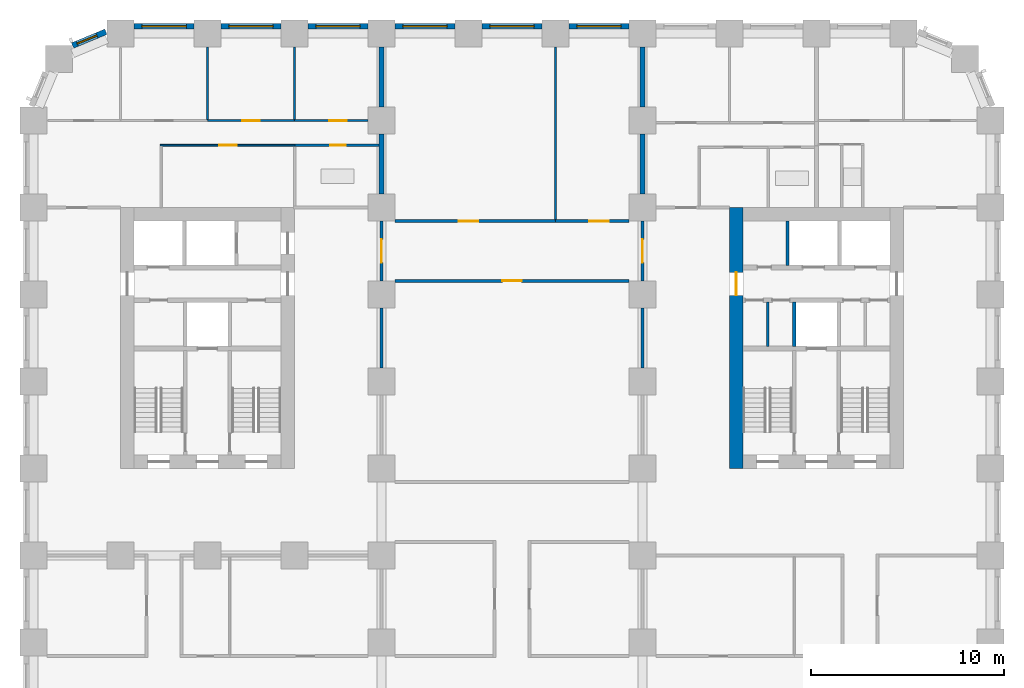
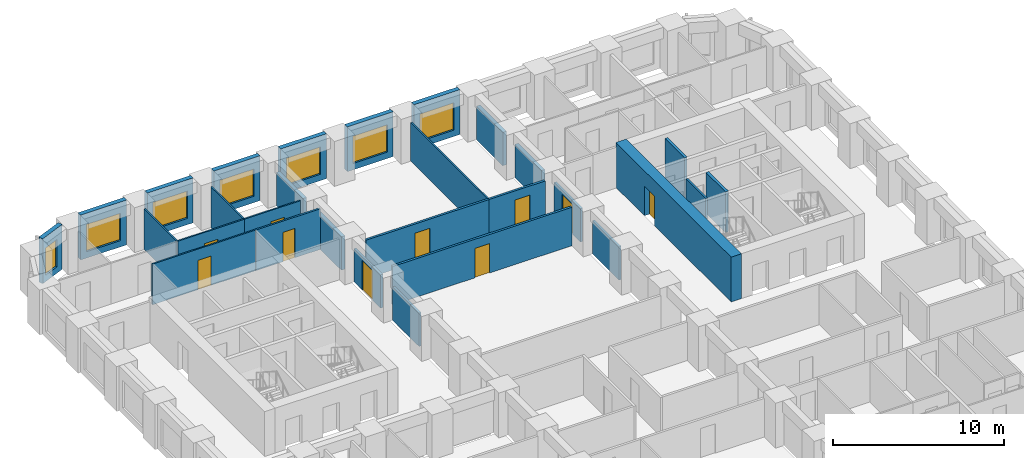
# One storey, part 7 of 12: 29 walls, 10 doors, 7 windows, 17 openings.
"""IFC4 building model written with IfcOpenShell, lengths in metres."""

from ifc_helpers import new_model, si_unit, direction, frame, frame_2d, origin, place, context, subcontext, project, spatial, rectangle, extrude, material, layer, layer_set, type_object, element, fill, save


model = new_model("IFC4")

# Units and contexts
model_context = context("Model", 3, precision=1e-05, world=origin(), true_north=direction((0.0, 1.0)))
body_context = subcontext(model_context, "Body", "Model", "MODEL_VIEW")
ifc_project = project(units=[si_unit("LENGTHUNIT", "METRE"), si_unit("AREAUNIT", "SQUARE_METRE"), si_unit("VOLUMEUNIT", "CUBIC_METRE"), si_unit("PLANEANGLEUNIT", "RADIAN"), si_unit("MASSUNIT", "GRAM", prefix="KILO")], contexts=[model_context])

# Site, building, storey
site_placement = place(None, origin())
site = spatial("IfcSite", under=ifc_project, at=site_placement, CompositionType="ELEMENT")
building_placement = place(site_placement, origin())
building = spatial("IfcBuilding", under=site, at=building_placement, Name="Girih Gate Residences", CompositionType="ELEMENT")
storey_placement = place(building_placement, frame((0.0, 0.0, 62.39990234375)))
storey = spatial("IfcBuildingStorey", under=building, at=storey_placement, Name="L16", CompositionType="ELEMENT", Elevation=62.39990234375)

# Walls
ifc_material_1 = material(Name="Gypsum board on steel studs", Category="steel")
ifc_layer_1 = layer(ifc_material_1, 0.25)
ifc_layer_set_1 = layer_set([ifc_layer_1], Name="Acoustic separating wall 250 mm")
wall_type_1 = type_object("IfcWallType", Name="Acoustic separating wall 250 mm", PredefinedType="PARTITIONING", material=ifc_layer_set_1)
for number, where, z_axis, x_axis, name in (
    (1, (18.0, 41.199951171875, 0.0), (0.0, 0.0, 1.0), (0.0, 1.0, 0.0), "L16 partition"),
    (2, (18.0, 45.699951171875, 0.0), (0.0, 0.0, 1.0), (0.0, 1.0, 0.0), "L16 partition"),
    (3, (31.5, 41.199951171875, 0.0), (0.0, 0.0, 1.0), (0.0, 1.0, 0.0), "L16 partition"),
    (4, (31.5, 45.699951171875, 0.0), (0.0, 0.0, 1.0), (0.0, 1.0, 0.0), "L16 partition"),
):
    element("IfcWall", number, at=place(storey_placement, frame(where, z_axis=z_axis, x_axis=x_axis)), inside=storey, type_object=wall_type_1, Name=name, PredefinedType="PARTITIONING", context=body_context, shape_type="SweptSolid", body=[
        extrude(rectangle(XDim=3.10009765625, YDim=0.25, at=frame_2d((1.550048828125, 0.0))), origin(), (0.0, 0.0, 1.0), 2.380126953125),
    ])

# Wall, opening, door
ifc_layer_2 = layer(ifc_material_1, 0.14990234375)
ifc_layer_set_2 = layer_set([ifc_layer_2], Name="Compartment wall 150 mm")
wall_type_2 = type_object("IfcWallType", Name="Compartment wall 150 mm", PredefinedType="PARTITIONING", material=ifc_layer_set_2)
wall_1_placement = place(storey_placement, frame((18.699951171875, 39.800048828125, 0.0), z_axis=(0.0, 0.0, 1.0), x_axis=(1.0, 0.0, 0.0)))
wall_1 = element("IfcWall", 5, at=wall_1_placement, inside=storey, type_object=wall_type_2, Name="L16 partition", PredefinedType="PARTITIONING", context=body_context, shape_type="SweptSolid", body=[
    extrude(rectangle(XDim=8.300048828125, YDim=0.14990234375, at=frame_2d((4.14990234375, 0.0))), origin(), (0.0, 0.0, 1.0), 2.75),
])
opening_1_placement = place(wall_1_placement, frame((3.300048828125, 0.0, 0.0)))
opening_1 = element("IfcOpeningElement", 6, at=opening_1_placement, cuts=wall_1, Name="Opening A16-038", PredefinedType="OPENING", context=body_context, shape_type="SweptSolid", body=[
    extrude(rectangle(XDim=1.0, YDim=2.10009765625, at=frame_2d((0.5, 1.050048828125))), frame((0.0, 0.0849609375, 0.0), z_axis=(0.0, -1.0, 0.0), x_axis=(1.0, 0.0, 0.0)), (0.0, 0.0, 1.0), 0.169921875),
])
ifc_material_2 = material(Name="Timber, fire-rated core", Category="wood")
door_type_1 = type_object("IfcDoorType", Name="Amenity room door 1000x2100 FD30S", OperationType="NOTDEFINED", PredefinedType="DOOR", material=ifc_material_2)
door_1_placement = place(opening_1_placement, origin())
door_1 = element("IfcDoor", 7, at=door_1_placement, inside=storey, type_object=door_type_1, Name="Door A16-038", OperationType="SINGLE_SWING_LEFT", OverallHeight=2.10009765625, OverallWidth=1.0, PredefinedType="DOOR", context=body_context, shape_type="SweptSolid", body=[
    extrude(rectangle(XDim=1.0, YDim=2.10009765625, at=frame_2d((0.5, 1.050048828125))), frame((0.0, 0.02490234375, 0.0), z_axis=(0.0, -1.0, 0.0), x_axis=(1.0, 0.0, 0.0)), (0.0, 0.0, 1.0), 0.050048828125),
])
fill(opening_1, door_1)

wall_2_placement = place(storey_placement, frame((27.0, 39.800048828125, 0.0), z_axis=(0.0, 0.0, 1.0), x_axis=(1.0, 0.0, 0.0)))
wall_2 = element("IfcWall", 8, at=wall_2_placement, inside=storey, type_object=wall_type_2, Name="L16 partition", PredefinedType="PARTITIONING", context=body_context, shape_type="SweptSolid", body=[
    extrude(rectangle(XDim=3.800048828125, YDim=0.14990234375, at=frame_2d((1.89990234375, 0.0))), origin(), (0.0, 0.0, 1.0), 2.75),
])
opening_2_placement = place(wall_2_placement, frame((1.75, 0.0, 0.0)))
opening_2 = element("IfcOpeningElement", 9, at=opening_2_placement, cuts=wall_2, Name="Opening A16-039", PredefinedType="OPENING", context=body_context, shape_type="SweptSolid", body=[
    extrude(rectangle(XDim=1.0, YDim=2.10009765625, at=frame_2d((0.5, 1.050048828125))), frame((0.0, 0.0849609375, 0.0), z_axis=(0.0, -1.0, 0.0), x_axis=(1.0, 0.0, 0.0)), (0.0, 0.0, 1.0), 0.169921875),
])
door_2_placement = place(opening_2_placement, origin())
door_2 = element("IfcDoor", 10, at=door_2_placement, inside=storey, type_object=door_type_1, Name="Door A16-039", OperationType="SINGLE_SWING_RIGHT", OverallHeight=2.10009765625, OverallWidth=1.0, PredefinedType="DOOR", context=body_context, shape_type="SweptSolid", body=[
    extrude(rectangle(XDim=1.0, YDim=2.10009765625, at=frame_2d((0.5, 1.050048828125))), frame((0.0, 0.02490234375, 0.0), z_axis=(0.0, -1.0, 0.0), x_axis=(1.0, 0.0, 0.0)), (0.0, 0.0, 1.0), 0.050048828125),
])
fill(opening_2, door_2)

wall_3_placement = place(storey_placement, frame((30.800048828125, 36.699951171875, 0.0), z_axis=(0.0, 0.0, 1.0), x_axis=(-1.0, 0.0, 0.0)))
wall_3 = element("IfcWall", 11, at=wall_3_placement, inside=storey, type_object=wall_type_2, Name="L16 partition", PredefinedType="PARTITIONING", context=body_context, shape_type="SweptSolid", body=[
    extrude(rectangle(XDim=12.10009765625, YDim=0.14990234375, at=frame_2d((6.050048828125, 0.0))), origin(), (0.0, 0.0, 1.0), 2.75),
])
opening_3_placement = place(wall_3_placement, frame((5.550048828125, 0.0, 0.0)))
opening_3 = element("IfcOpeningElement", 12, at=opening_3_placement, cuts=wall_3, Name="Opening A16-040", PredefinedType="OPENING", context=body_context, shape_type="SweptSolid", body=[
    extrude(rectangle(XDim=1.0, YDim=2.10009765625, at=frame_2d((0.5, 1.050048828125))), frame((0.0, 0.0849609375, 0.0), z_axis=(0.0, -1.0, 0.0), x_axis=(1.0, 0.0, 0.0)), (0.0, 0.0, 1.0), 0.169921875),
])
door_3_placement = place(opening_3_placement, origin())
door_3 = element("IfcDoor", 13, at=door_3_placement, inside=storey, type_object=door_type_1, Name="Door A16-040", OperationType="SINGLE_SWING_RIGHT", OverallHeight=2.10009765625, OverallWidth=1.0, PredefinedType="DOOR", context=body_context, shape_type="SweptSolid", body=[
    extrude(rectangle(XDim=1.0, YDim=2.10009765625, at=frame_2d((0.5, 1.050048828125))), frame((0.0, 0.02490234375, 0.0), z_axis=(0.0, -1.0, 0.0), x_axis=(1.0, 0.0, 0.0)), (0.0, 0.0, 1.0), 0.050048828125),
])
fill(opening_3, door_3)

wall_4_placement = place(storey_placement, frame((31.5, 36.699951171875, 0.0), z_axis=(0.0, 0.0, 1.0), x_axis=(0.0, 1.0, 0.0)))
wall_4 = element("IfcWall", 14, at=wall_4_placement, inside=storey, type_object=wall_type_2, Name="L16 partition", PredefinedType="PARTITIONING", context=body_context, shape_type="SweptSolid", body=[
    extrude(rectangle(XDim=3.10009765625, YDim=0.14990234375, at=frame_2d((1.550048828125, 0.0))), origin(), (0.0, 0.0, 1.0), 2.380126953125),
])
opening_4_placement = place(wall_4_placement, frame((0.949951171875, 0.0, 0.0)))
opening_4 = element("IfcOpeningElement", 15, at=opening_4_placement, cuts=wall_4, Name="Opening A16-041", PredefinedType="OPENING", context=body_context, shape_type="SweptSolid", body=[
    extrude(rectangle(XDim=1.199951171875, YDim=2.10009765625, at=frame_2d((0.60009765625, 1.050048828125))), frame((0.0, 0.0849609375, 0.0), z_axis=(0.0, -1.0, 0.0), x_axis=(1.0, 0.0, 0.0)), (0.0, 0.0, 1.0), 0.169921875),
])
door_type_2 = type_object("IfcDoorType", Name="Corridor fire door 1200x2100 FD30S", OperationType="NOTDEFINED", PredefinedType="DOOR", material=ifc_material_2)
door_4_placement = place(opening_4_placement, origin())
door_4 = element("IfcDoor", 16, at=door_4_placement, inside=storey, type_object=door_type_2, Name="Door A16-041", OperationType="SINGLE_SWING_LEFT", OverallHeight=2.10009765625, OverallWidth=1.199951171875, PredefinedType="DOOR", context=body_context, shape_type="SweptSolid", body=[
    extrude(rectangle(XDim=1.199951171875, YDim=2.10009765625, at=frame_2d((0.60009765625, 1.050048828125))), frame((0.0, 0.02490234375, 0.0), z_axis=(0.0, -1.0, 0.0), x_axis=(1.0, 0.0, 0.0)), (0.0, 0.0, 1.0), 0.050048828125),
])
fill(opening_4, door_4)

wall_5_placement = place(storey_placement, frame((18.0, 39.800048828125, 0.0), z_axis=(0.0, 0.0, 1.0), x_axis=(0.0, -1.0, 0.0)))
wall_5 = element("IfcWall", 17, at=wall_5_placement, inside=storey, type_object=wall_type_2, Name="L16 partition", PredefinedType="PARTITIONING", context=body_context, shape_type="SweptSolid", body=[
    extrude(rectangle(XDim=3.10009765625, YDim=0.14990234375, at=frame_2d((1.550048828125, 0.0))), origin(), (0.0, 0.0, 1.0), 2.380126953125),
])
opening_5_placement = place(wall_5_placement, frame((0.949951171875, 0.0, 0.0)))
opening_5 = element("IfcOpeningElement", 18, at=opening_5_placement, cuts=wall_5, Name="Opening A16-042", PredefinedType="OPENING", context=body_context, shape_type="SweptSolid", body=[
    extrude(rectangle(XDim=1.199951171875, YDim=2.10009765625, at=frame_2d((0.60009765625, 1.050048828125))), frame((0.0, 0.0849609375, 0.0), z_axis=(0.0, -1.0, 0.0), x_axis=(1.0, 0.0, 0.0)), (0.0, 0.0, 1.0), 0.169921875),
])
door_5_placement = place(opening_5_placement, origin())
door_5 = element("IfcDoor", 19, at=door_5_placement, inside=storey, type_object=door_type_2, Name="Door A16-042", OperationType="SINGLE_SWING_LEFT", OverallHeight=2.10009765625, OverallWidth=1.199951171875, PredefinedType="DOOR", context=body_context, shape_type="SweptSolid", body=[
    extrude(rectangle(XDim=1.199951171875, YDim=2.10009765625, at=frame_2d((0.60009765625, 1.050048828125))), frame((0.0, 0.02490234375, 0.0), z_axis=(0.0, -1.0, 0.0), x_axis=(1.0, 0.0, 0.0)), (0.0, 0.0, 1.0), 0.050048828125),
])
fill(opening_5, door_5)

# Walls
for number, where, z_axis, x_axis, name in (
    (20, (31.5, 32.199951171875, 0.0), (0.0, 0.0, 1.0), (0.0, 1.0, 0.0), "L16 partition"),
    (21, (18.0, 32.199951171875, 0.0), (0.0, 0.0, 1.0), (0.0, 1.0, 0.0), "L16 partition"),
):
    element("IfcWall", number, at=place(storey_placement, frame(where, z_axis=z_axis, x_axis=x_axis)), inside=storey, type_object=wall_type_2, Name=name, PredefinedType="PARTITIONING", context=body_context, shape_type="SweptSolid", body=[
        extrude(rectangle(XDim=3.10009765625, YDim=0.14990234375, at=frame_2d((1.550048828125, 0.0))), origin(), (0.0, 0.0, 1.0), 2.380126953125),
    ])

# Wall, opening, door
ifc_material_3 = material(Name="Concrete C60/75", Category="concrete")
ifc_layer_3 = layer(ifc_material_3, 0.699951171875)
ifc_layer_set_3 = layer_set([ifc_layer_3], Name="Core wall RC 700 Concrete C60/75")
wall_type_3 = type_object("IfcWallType", Name="Core wall RC 700 Concrete C60/75", PredefinedType="SOLIDWALL", material=ifc_layer_set_3)
wall_6_placement = place(storey_placement, frame((36.35009765625, 27.0, 0.0), z_axis=(0.0, 0.0, 1.0), x_axis=(0.0, 1.0, 0.0)))
wall_6 = element("IfcWall", 22, at=wall_6_placement, inside=storey, type_object=wall_type_3, Name="Core wall E-W L16", PredefinedType="SOLIDWALL", context=body_context, shape_type="SweptSolid", body=[
    extrude(rectangle(XDim=13.5, YDim=0.699951171875, at=frame_2d((6.75, 0.0))), origin(), (0.0, 0.0, 1.0), 3.2001953125),
])
opening_6_placement = place(wall_6_placement, frame((8.949951171875, 0.0, 0.0)))
opening_6 = element("IfcOpeningElement", 23, at=opening_6_placement, cuts=wall_6, Name="Opening D-L16-E-014", PredefinedType="OPENING", context=body_context, shape_type="SweptSolid", body=[
    extrude(rectangle(XDim=1.199951171875, YDim=2.10009765625, at=frame_2d((0.60009765625, 1.050048828125))), frame((0.0, 0.35986328125, 0.0), z_axis=(0.0, -1.0, 0.0), x_axis=(1.0, 0.0, 0.0)), (0.0, 0.0, 1.0), 0.719970703125),
])
ifc_material_4 = material(Name="Painted steel, fire-resisting", Category="steel")
door_type_3 = type_object("IfcDoorType", Name="Fire door 1200x2100", OperationType="SINGLE_SWING_LEFT", PredefinedType="DOOR", material=ifc_material_4)
door_6_placement = place(opening_6_placement, origin())
door_6 = element("IfcDoor", 24, at=door_6_placement, inside=storey, type_object=door_type_3, Name="L16 E core door ll-w", OperationType="SINGLE_SWING_LEFT", OverallHeight=2.10009765625, OverallWidth=1.199951171875, PredefinedType="DOOR", context=body_context, shape_type="SweptSolid", body=[
    extrude(rectangle(XDim=1.199951171875, YDim=2.10009765625, at=frame_2d((0.60009765625, 1.050048828125))), frame((0.0, 0.02490234375, 0.0), z_axis=(0.0, -1.0, 0.0), x_axis=(1.0, 0.0, 0.0)), (0.0, 0.0, 1.0), 0.050048828125),
])
fill(opening_6, door_6)

# Walls
ifc_layer_4 = layer(ifc_material_1, 0.10009765625)
ifc_layer_set_4 = layer_set([ifc_layer_4], Name="Partition 100 mm")
wall_type_4 = type_object("IfcWallType", Name="Partition 100 mm", PredefinedType="PARTITIONING", material=ifc_layer_set_4)
for number, where, z_axis, x_axis, name in (
    (25, (9.0, 45.050048828125, 0.0), (0.0, 0.0, 1.0), (0.0, 1.0, 0.0), "L16 partition"),
    (26, (13.5, 45.050048828125, 0.0), (0.0, 0.0, 1.0), (0.0, 1.0, 0.0), "L16 partition"),
):
    element("IfcWall", number, at=place(storey_placement, frame(where, z_axis=z_axis, x_axis=x_axis)), inside=storey, type_object=wall_type_4, Name=name, PredefinedType="PARTITIONING", context=body_context, shape_type="SweptSolid", body=[
        extrude(rectangle(XDim=3.75, YDim=0.10009765625, at=frame_2d((1.875, 0.0))), origin(), (0.0, 0.0, 1.0), 2.900146484375),
    ])

# Wall, opening, door
wall_7_placement = place(storey_placement, frame((9.0, 45.0, 0.0), z_axis=(0.0, 0.0, 1.0), x_axis=(1.0, 0.0, 0.0)))
wall_7 = element("IfcWall", 27, at=wall_7_placement, inside=storey, type_object=wall_type_4, Name="L16 partition", PredefinedType="PARTITIONING", context=body_context, shape_type="SweptSolid", body=[
    extrude(rectangle(XDim=4.5, YDim=0.10009765625, at=frame_2d((2.25, 0.0))), origin(), (0.0, 0.0, 1.0), 2.900146484375),
])
opening_7_placement = place(wall_7_placement, frame((1.800048828125, 0.0, 0.0)))
opening_7 = element("IfcOpeningElement", 28, at=opening_7_placement, cuts=wall_7, Name="Opening A16-013", PredefinedType="OPENING", context=body_context, shape_type="SweptSolid", body=[
    extrude(rectangle(XDim=0.89990234375, YDim=2.10009765625, at=frame_2d((0.449951171875, 1.050048828125))), frame((0.0, 0.06005859375, 0.0), z_axis=(0.0, -1.0, 0.0), x_axis=(1.0, 0.0, 0.0)), (0.0, 0.0, 1.0), 0.1201171875),
])
ifc_material_5 = material(Name="Timber", Category="wood")
door_type_4 = type_object("IfcDoorType", Name="Bedroom door 900x2100", OperationType="NOTDEFINED", PredefinedType="DOOR", material=ifc_material_5)
door_7_placement = place(opening_7_placement, origin())
door_7 = element("IfcDoor", 29, at=door_7_placement, inside=storey, type_object=door_type_4, Name="Door A16-013", OperationType="SINGLE_SWING_LEFT", OverallHeight=2.10009765625, OverallWidth=0.89990234375, PredefinedType="DOOR", context=body_context, shape_type="SweptSolid", body=[
    extrude(rectangle(XDim=0.89990234375, YDim=2.10009765625, at=frame_2d((0.449951171875, 1.050048828125))), frame((0.0, 0.02490234375, 0.0), z_axis=(0.0, -1.0, 0.0), x_axis=(1.0, 0.0, 0.0)), (0.0, 0.0, 1.0), 0.050048828125),
])
fill(opening_7, door_7)

wall_8_placement = place(storey_placement, frame((13.5, 45.0, 0.0), z_axis=(0.0, 0.0, 1.0), x_axis=(1.0, 0.0, 0.0)))
wall_8 = element("IfcWall", 30, at=wall_8_placement, inside=storey, type_object=wall_type_4, Name="L16 partition", PredefinedType="PARTITIONING", context=body_context, shape_type="SweptSolid", body=[
    extrude(rectangle(XDim=3.800048828125, YDim=0.10009765625, at=frame_2d((1.89990234375, 0.0))), origin(), (0.0, 0.0, 1.0), 2.900146484375),
])
opening_8_placement = place(wall_8_placement, frame((1.800048828125, 0.0, 0.0)))
opening_8 = element("IfcOpeningElement", 31, at=opening_8_placement, cuts=wall_8, Name="Opening A16-014", PredefinedType="OPENING", context=body_context, shape_type="SweptSolid", body=[
    extrude(rectangle(XDim=0.89990234375, YDim=2.10009765625, at=frame_2d((0.449951171875, 1.050048828125))), frame((0.0, 0.06005859375, 0.0), z_axis=(0.0, -1.0, 0.0), x_axis=(1.0, 0.0, 0.0)), (0.0, 0.0, 1.0), 0.1201171875),
])
door_8_placement = place(opening_8_placement, origin())
door_8 = element("IfcDoor", 32, at=door_8_placement, inside=storey, type_object=door_type_4, Name="Door A16-014", OperationType="SINGLE_SWING_RIGHT", OverallHeight=2.10009765625, OverallWidth=0.89990234375, PredefinedType="DOOR", context=body_context, shape_type="SweptSolid", body=[
    extrude(rectangle(XDim=0.89990234375, YDim=2.10009765625, at=frame_2d((0.449951171875, 1.050048828125))), frame((0.0, 0.02490234375, 0.0), z_axis=(0.0, -1.0, 0.0), x_axis=(1.0, 0.0, 0.0)), (0.0, 0.0, 1.0), 0.050048828125),
])
fill(opening_8, door_8)

wall_9_placement = place(storey_placement, frame((13.51806640625, 43.719970703125, 0.0), z_axis=(0.0, 0.0, 1.0), x_axis=(-1.0, 0.0, 0.0)))
wall_9 = element("IfcWall", 33, at=wall_9_placement, inside=storey, type_object=wall_type_4, Name="L16 partition", PredefinedType="PARTITIONING", context=body_context, shape_type="SweptSolid", body=[
    extrude(rectangle(XDim=6.968017578125, YDim=0.10009765625, at=frame_2d((3.48388671875, 0.0))), origin(), (0.0, 0.0, 1.0), 2.900146484375),
])
opening_9_placement = place(wall_9_placement, frame((3.009033203125, 0.0, 0.0)))
opening_9 = element("IfcOpeningElement", 34, at=opening_9_placement, cuts=wall_9, Name="Opening A16-015", PredefinedType="OPENING", context=body_context, shape_type="SweptSolid", body=[
    extrude(rectangle(XDim=0.89990234375, YDim=2.10009765625, at=frame_2d((0.449951171875, 1.050048828125))), frame((0.0, 0.06005859375, 0.0), z_axis=(0.0, -1.0, 0.0), x_axis=(1.0, 0.0, 0.0)), (0.0, 0.0, 1.0), 0.1201171875),
])
door_type_5 = type_object("IfcDoorType", Name="Kitchen door 900x2100", OperationType="NOTDEFINED", PredefinedType="DOOR", material=ifc_material_5)
door_9_placement = place(opening_9_placement, origin())
door_9 = element("IfcDoor", 35, at=door_9_placement, inside=storey, type_object=door_type_5, Name="Door A16-015", OperationType="SINGLE_SWING_LEFT", OverallHeight=2.10009765625, OverallWidth=0.89990234375, PredefinedType="DOOR", context=body_context, shape_type="SweptSolid", body=[
    extrude(rectangle(XDim=0.89990234375, YDim=2.10009765625, at=frame_2d((0.449951171875, 1.050048828125))), frame((0.0, 0.02490234375, 0.0), z_axis=(0.0, -1.0, 0.0), x_axis=(1.0, 0.0, 0.0)), (0.0, 0.0, 1.0), 0.050048828125),
])
fill(opening_9, door_9)

# Wall
wall_10_placement = place(storey_placement, frame((27.0, 39.875, 0.0), z_axis=(0.0, 0.0, 1.0), x_axis=(0.0, 1.0, 0.0)))
element("IfcWall", 36, at=wall_10_placement, inside=storey, type_object=wall_type_4, Name="L16 partition", PredefinedType="PARTITIONING", context=body_context, shape_type="SweptSolid", body=[
    extrude(rectangle(XDim=8.925048828125, YDim=0.10009765625, at=frame_2d((4.46240234375, 0.0))), origin(), (0.0, 0.0, 1.0), 2.75),
])

# Wall, opening, window
ifc_material_6 = material(Name="Precast concrete C50/60", Category="concrete")
ifc_layer_5 = layer(ifc_material_6, 0.080078125, Name="Outer leaf")
ifc_material_7 = material(Name="Rigid PIR insulation")
ifc_layer_6 = layer(ifc_material_7, 0.14990234375, Name="Insulation")
ifc_material_8 = material(Name="Precast concrete C40/50", Category="concrete")
ifc_layer_7 = layer(ifc_material_8, 0.070068359375, Name="Inner leaf")
ifc_layer_set_5 = layer_set([ifc_layer_5, ifc_layer_6, ifc_layer_7], Name="Precast concrete C50/60 external wall 300")
wall_type_5 = type_object("IfcWallType", Name="Precast concrete C50/60 external wall 300", PredefinedType="SOLIDWALL", material=ifc_layer_set_5)
wall_11_placement = place(storey_placement, frame((27.699951171875, 49.875, 0.0), z_axis=(0.0, 0.0, 1.0), x_axis=(1.0, 0.0, 0.0)))
wall_11 = element("IfcWall", 37, at=wall_11_placement, inside=storey, type_object=wall_type_5, Name="External wall N0450_0495.3", PredefinedType="SOLIDWALL", context=body_context, shape_type="SweptSolid", body=[
    extrude(rectangle(XDim=3.10009765625, YDim=0.300048828125, at=frame_2d((1.550048828125, 0.0))), origin(), (0.0, 0.0, 1.0), 3.2001953125),
])
opening_10_placement = place(wall_11_placement, frame((0.39990234375, 0.0, 0.449951171875)))
opening_10 = element("IfcOpeningElement", 38, at=opening_10_placement, cuts=wall_11, Name="Opening W-1", PredefinedType="OPENING", context=body_context, shape_type="SweptSolid", body=[
    extrude(rectangle(XDim=2.300048828125, YDim=1.949951171875, at=frame_2d((1.14990234375, 0.97509765625))), frame((0.0, 0.159912109375, 0.0), z_axis=(0.0, -1.0, 0.0), x_axis=(1.0, 0.0, 0.0)), (0.0, 0.0, 1.0), 0.320068359375),
])
ifc_material_9 = material(Name="Double glazing in aluminium frame", Category="aluminium")
window_type_1 = type_object("IfcWindowType", Name="Window W-1 2300x1950", PartitioningType="SINGLE_PANEL", PredefinedType="WINDOW", material=ifc_material_9)
window_1_placement = place(opening_10_placement, origin())
window_1 = element("IfcWindow", 39, at=window_1_placement, inside=storey, type_object=window_type_1, Name="Window W-1 N0450_0495.3", OverallHeight=1.949951171875, OverallWidth=2.300048828125, PartitioningType="SINGLE_PANEL", PredefinedType="WINDOW", context=body_context, shape_type="SweptSolid", body=[
    extrude(rectangle(XDim=2.300048828125, YDim=1.949951171875, at=frame_2d((1.14990234375, 0.97509765625))), frame((0.0, 0.030029296875, 0.0), z_axis=(0.0, -1.0, 0.0), x_axis=(1.0, 0.0, 0.0)), (0.0, 0.0, 1.0), 0.06005859375),
])
fill(opening_10, window_1)

wall_12_placement = place(storey_placement, frame((23.199951171875, 49.875, 0.0), z_axis=(0.0, 0.0, 1.0), x_axis=(1.0, 0.0, 0.0)))
wall_12 = element("IfcWall", 40, at=wall_12_placement, inside=storey, type_object=wall_type_5, Name="External wall N0450_0495.4", PredefinedType="SOLIDWALL", context=body_context, shape_type="SweptSolid", body=[
    extrude(rectangle(XDim=3.10009765625, YDim=0.300048828125, at=frame_2d((1.550048828125, 0.0))), origin(), (0.0, 0.0, 1.0), 3.2001953125),
])
opening_11_placement = place(wall_12_placement, frame((0.39990234375, 0.0, 0.449951171875)))
opening_11 = element("IfcOpeningElement", 41, at=opening_11_placement, cuts=wall_12, Name="Opening W-1", PredefinedType="OPENING", context=body_context, shape_type="SweptSolid", body=[
    extrude(rectangle(XDim=2.300048828125, YDim=1.949951171875, at=frame_2d((1.14990234375, 0.97509765625))), frame((0.0, 0.159912109375, 0.0), z_axis=(0.0, -1.0, 0.0), x_axis=(1.0, 0.0, 0.0)), (0.0, 0.0, 1.0), 0.320068359375),
])
window_2_placement = place(opening_11_placement, origin())
window_2 = element("IfcWindow", 42, at=window_2_placement, inside=storey, type_object=window_type_1, Name="Window W-1 N0450_0495.4", OverallHeight=1.949951171875, OverallWidth=2.300048828125, PartitioningType="SINGLE_PANEL", PredefinedType="WINDOW", context=body_context, shape_type="SweptSolid", body=[
    extrude(rectangle(XDim=2.300048828125, YDim=1.949951171875, at=frame_2d((1.14990234375, 0.97509765625))), frame((0.0, 0.030029296875, 0.0), z_axis=(0.0, -1.0, 0.0), x_axis=(1.0, 0.0, 0.0)), (0.0, 0.0, 1.0), 0.06005859375),
])
fill(opening_11, window_2)

wall_13_placement = place(storey_placement, frame((18.699951171875, 49.875, 0.0), z_axis=(0.0, 0.0, 1.0), x_axis=(1.0, 0.0, 0.0)))
wall_13 = element("IfcWall", 43, at=wall_13_placement, inside=storey, type_object=wall_type_5, Name="External wall N0450_0495.5", PredefinedType="SOLIDWALL", context=body_context, shape_type="SweptSolid", body=[
    extrude(rectangle(XDim=3.10009765625, YDim=0.300048828125, at=frame_2d((1.550048828125, 0.0))), origin(), (0.0, 0.0, 1.0), 3.2001953125),
])
opening_12_placement = place(wall_13_placement, frame((0.39990234375, 0.0, 0.449951171875)))
opening_12 = element("IfcOpeningElement", 44, at=opening_12_placement, cuts=wall_13, Name="Opening W-1", PredefinedType="OPENING", context=body_context, shape_type="SweptSolid", body=[
    extrude(rectangle(XDim=2.300048828125, YDim=1.949951171875, at=frame_2d((1.14990234375, 0.97509765625))), frame((0.0, 0.159912109375, 0.0), z_axis=(0.0, -1.0, 0.0), x_axis=(1.0, 0.0, 0.0)), (0.0, 0.0, 1.0), 0.320068359375),
])
window_3_placement = place(opening_12_placement, origin())
window_3 = element("IfcWindow", 45, at=window_3_placement, inside=storey, type_object=window_type_1, Name="Window W-1 N0450_0495.5", OverallHeight=1.949951171875, OverallWidth=2.300048828125, PartitioningType="SINGLE_PANEL", PredefinedType="WINDOW", context=body_context, shape_type="SweptSolid", body=[
    extrude(rectangle(XDim=2.300048828125, YDim=1.949951171875, at=frame_2d((1.14990234375, 0.97509765625))), frame((0.0, 0.030029296875, 0.0), z_axis=(0.0, -1.0, 0.0), x_axis=(1.0, 0.0, 0.0)), (0.0, 0.0, 1.0), 0.06005859375),
])
fill(opening_12, window_3)

wall_14_placement = place(storey_placement, frame((14.199951171875, 49.875, 0.0), z_axis=(0.0, 0.0, 1.0), x_axis=(1.0, 0.0, 0.0)))
wall_14 = element("IfcWall", 46, at=wall_14_placement, inside=storey, type_object=wall_type_5, Name="External wall N0450_0495.6", PredefinedType="SOLIDWALL", context=body_context, shape_type="SweptSolid", body=[
    extrude(rectangle(XDim=3.10009765625, YDim=0.300048828125, at=frame_2d((1.550048828125, 0.0))), origin(), (0.0, 0.0, 1.0), 3.2001953125),
])
opening_13_placement = place(wall_14_placement, frame((0.39990234375, 0.0, 0.449951171875)))
opening_13 = element("IfcOpeningElement", 47, at=opening_13_placement, cuts=wall_14, Name="Opening W-1", PredefinedType="OPENING", context=body_context, shape_type="SweptSolid", body=[
    extrude(rectangle(XDim=2.300048828125, YDim=1.949951171875, at=frame_2d((1.14990234375, 0.97509765625))), frame((0.0, 0.159912109375, 0.0), z_axis=(0.0, -1.0, 0.0), x_axis=(1.0, 0.0, 0.0)), (0.0, 0.0, 1.0), 0.320068359375),
])
window_4_placement = place(opening_13_placement, origin())
window_4 = element("IfcWindow", 48, at=window_4_placement, inside=storey, type_object=window_type_1, Name="Window W-1 N0450_0495.6", OverallHeight=1.949951171875, OverallWidth=2.300048828125, PartitioningType="SINGLE_PANEL", PredefinedType="WINDOW", context=body_context, shape_type="SweptSolid", body=[
    extrude(rectangle(XDim=2.300048828125, YDim=1.949951171875, at=frame_2d((1.14990234375, 0.97509765625))), frame((0.0, 0.030029296875, 0.0), z_axis=(0.0, -1.0, 0.0), x_axis=(1.0, 0.0, 0.0)), (0.0, 0.0, 1.0), 0.06005859375),
])
fill(opening_13, window_4)

wall_15_placement = place(storey_placement, frame((9.699951171875, 49.875, 0.0), z_axis=(0.0, 0.0, 1.0), x_axis=(1.0, 0.0, 0.0)))
wall_15 = element("IfcWall", 49, at=wall_15_placement, inside=storey, type_object=wall_type_5, Name="External wall N0450_0495.7", PredefinedType="SOLIDWALL", context=body_context, shape_type="SweptSolid", body=[
    extrude(rectangle(XDim=3.10009765625, YDim=0.300048828125, at=frame_2d((1.550048828125, 0.0))), origin(), (0.0, 0.0, 1.0), 3.2001953125),
])
opening_14_placement = place(wall_15_placement, frame((0.39990234375, 0.0, 0.449951171875)))
opening_14 = element("IfcOpeningElement", 50, at=opening_14_placement, cuts=wall_15, Name="Opening W-1", PredefinedType="OPENING", context=body_context, shape_type="SweptSolid", body=[
    extrude(rectangle(XDim=2.300048828125, YDim=1.949951171875, at=frame_2d((1.14990234375, 0.97509765625))), frame((0.0, 0.159912109375, 0.0), z_axis=(0.0, -1.0, 0.0), x_axis=(1.0, 0.0, 0.0)), (0.0, 0.0, 1.0), 0.320068359375),
])
window_5_placement = place(opening_14_placement, origin())
window_5 = element("IfcWindow", 51, at=window_5_placement, inside=storey, type_object=window_type_1, Name="Window W-1 N0450_0495.7", OverallHeight=1.949951171875, OverallWidth=2.300048828125, PartitioningType="SINGLE_PANEL", PredefinedType="WINDOW", context=body_context, shape_type="SweptSolid", body=[
    extrude(rectangle(XDim=2.300048828125, YDim=1.949951171875, at=frame_2d((1.14990234375, 0.97509765625))), frame((0.0, 0.030029296875, 0.0), z_axis=(0.0, -1.0, 0.0), x_axis=(1.0, 0.0, 0.0)), (0.0, 0.0, 1.0), 0.06005859375),
])
fill(opening_14, window_5)

wall_16_placement = place(storey_placement, frame((5.199951171875, 49.875, 0.0), z_axis=(0.0, 0.0, 1.0), x_axis=(1.0, 0.0, 0.0)))
wall_16 = element("IfcWall", 52, at=wall_16_placement, inside=storey, type_object=wall_type_5, Name="External wall N0450_0495.8", PredefinedType="SOLIDWALL", context=body_context, shape_type="SweptSolid", body=[
    extrude(rectangle(XDim=3.10009765625, YDim=0.300048828125, at=frame_2d((1.550048828125, 0.0))), origin(), (0.0, 0.0, 1.0), 3.2001953125),
])
opening_15_placement = place(wall_16_placement, frame((0.39990234375, 0.0, 0.449951171875)))
opening_15 = element("IfcOpeningElement", 53, at=opening_15_placement, cuts=wall_16, Name="Opening W-1", PredefinedType="OPENING", context=body_context, shape_type="SweptSolid", body=[
    extrude(rectangle(XDim=2.300048828125, YDim=1.949951171875, at=frame_2d((1.14990234375, 0.97509765625))), frame((0.0, 0.159912109375, 0.0), z_axis=(0.0, -1.0, 0.0), x_axis=(1.0, 0.0, 0.0)), (0.0, 0.0, 1.0), 0.320068359375),
])
window_6_placement = place(opening_15_placement, origin())
window_6 = element("IfcWindow", 54, at=window_6_placement, inside=storey, type_object=window_type_1, Name="Window W-1 N0450_0495.8", OverallHeight=1.949951171875, OverallWidth=2.300048828125, PartitioningType="SINGLE_PANEL", PredefinedType="WINDOW", context=body_context, shape_type="SweptSolid", body=[
    extrude(rectangle(XDim=2.300048828125, YDim=1.949951171875, at=frame_2d((1.14990234375, 0.97509765625))), frame((0.0, 0.030029296875, 0.0), z_axis=(0.0, -1.0, 0.0), x_axis=(1.0, 0.0, 0.0)), (0.0, 0.0, 1.0), 0.06005859375),
])
fill(opening_15, window_6)

wall_17_placement = place(storey_placement, frame((2.01953125, 48.87841796875, 0.0), z_axis=(0.0, 0.0, 1.0), x_axis=(0.923903565336, 0.38262540684, 0.0)))
wall_17 = element("IfcWall", 55, at=wall_17_placement, inside=storey, type_object=wall_type_5, Name="External wall NW0045_0495.0", PredefinedType="SOLIDWALL", context=body_context, shape_type="SweptSolid", body=[
    extrude(rectangle(XDim=1.864990234375, YDim=0.300048828125, at=frame_2d((0.9326171875, 0.0))), origin(), (0.0, 0.0, 1.0), 3.2001953125),
])
opening_16_placement = place(wall_17_placement, frame((0.257568359375, 0.0, 0.449951171875)))
opening_16 = element("IfcOpeningElement", 56, at=opening_16_placement, cuts=wall_17, Name="Opening W-2C", PredefinedType="OPENING", context=body_context, shape_type="SweptSolid", body=[
    extrude(rectangle(XDim=1.10009765625, YDim=1.949951171875, at=frame_2d((0.550048828125, 0.97509765625))), frame((0.0, 0.159912109375, 0.0), z_axis=(0.0, -1.0, 0.0), x_axis=(1.0, 0.0, 0.0)), (0.0, 0.0, 1.0), 0.320068359375),
])
window_type_2 = type_object("IfcWindowType", Name="Window W-2C 1100x1950", PartitioningType="SINGLE_PANEL", PredefinedType="WINDOW", material=ifc_material_9)
window_7_placement = place(opening_16_placement, origin())
window_7 = element("IfcWindow", 57, at=window_7_placement, inside=storey, type_object=window_type_2, Name="Window W-2C NW0045_0495.0", OverallHeight=1.949951171875, OverallWidth=1.10009765625, PartitioningType="SINGLE_PANEL", PredefinedType="WINDOW", context=body_context, shape_type="SweptSolid", body=[
    extrude(rectangle(XDim=1.10009765625, YDim=1.949951171875, at=frame_2d((0.550048828125, 0.97509765625))), frame((0.0, 0.030029296875, 0.0), z_axis=(0.0, -1.0, 0.0), x_axis=(1.0, 0.0, 0.0)), (0.0, 0.0, 1.0), 0.06005859375),
])
fill(opening_16, window_7)

# Walls
ifc_material_10 = material(Name="Concrete C40/50", Category="concrete")
ifc_layer_8 = layer(ifc_material_10, 0.175048828125)
ifc_layer_set_6 = layer_set([ifc_layer_8], Name="Riser shaft wall 175")
wall_type_6 = type_object("IfcWallType", Name="Riser shaft wall 175", PredefinedType="SOLIDWALL", material=ifc_layer_set_6)
wall_18_placement = place(storey_placement, frame((39.0, 37.5, 0.0), z_axis=(0.0, 0.0, 1.0), x_axis=(0.0, 1.0, 0.0)))
element("IfcWall", 58, at=wall_18_placement, inside=storey, type_object=wall_type_6, Name="L16 E core wall V2c", PredefinedType="SOLIDWALL", context=body_context, shape_type="SweptSolid", body=[
    extrude(rectangle(XDim=2.300048828125, YDim=0.175048828125, at=frame_2d((1.14990234375, 0.0))), origin(), (0.0, 0.0, 1.0), 2.900146484375),
])
ifc_layer_9 = layer(ifc_material_10, 0.199951171875)
ifc_layer_set_7 = layer_set([ifc_layer_9], Name="Shaft wall 200")
wall_type_7 = type_object("IfcWallType", Name="Shaft wall 200", PredefinedType="SOLIDWALL", material=ifc_layer_set_7)
wall_19_placement = place(storey_placement, frame((39.35009765625, 33.300048828125, 0.0), z_axis=(0.0, 0.0, 1.0), x_axis=(0.0, 1.0, 0.0)))
element("IfcWall", 59, at=wall_19_placement, inside=storey, type_object=wall_type_7, Name="L16 E core wall V2b", PredefinedType="SOLIDWALL", context=body_context, shape_type="SweptSolid", body=[
    extrude(rectangle(XDim=2.300048828125, YDim=0.199951171875, at=frame_2d((1.14990234375, 0.0))), origin(), (0.0, 0.0, 1.0), 2.900146484375),
])
ifc_material_11 = material(Name="Calcium silicate blockwork", Category="masonry")
ifc_layer_10 = layer(ifc_material_11, 0.125)
ifc_layer_set_8 = layer_set([ifc_layer_10], Name="Store partition 125")
wall_type_8 = type_object("IfcWallType", Name="Store partition 125", PredefinedType="PARTITIONING", material=ifc_layer_set_8)
wall_20_placement = place(storey_placement, frame((37.97509765625, 33.300048828125, 0.0), z_axis=(0.0, 0.0, 1.0), x_axis=(0.0, 1.0, 0.0)))
element("IfcWall", 60, at=wall_20_placement, inside=storey, type_object=wall_type_8, Name="L16 E core wall SHR2", PredefinedType="PARTITIONING", context=body_context, shape_type="SweptSolid", body=[
    extrude(rectangle(XDim=2.300048828125, YDim=0.125, at=frame_2d((1.14990234375, 0.0))), origin(), (0.0, 0.0, 1.0), 2.900146484375),
])

# Wall, opening, door
ifc_layer_11 = layer(ifc_material_1, 0.125)
ifc_layer_set_9 = layer_set([ifc_layer_11], Name="Wet room wall 125 mm")
wall_type_9 = type_object("IfcWallType", Name="Wet room wall 125 mm", PredefinedType="PARTITIONING", material=ifc_layer_set_9)
wall_21_placement = place(storey_placement, frame((17.875, 43.719970703125, 0.0), z_axis=(0.0, 0.0, 1.0), x_axis=(-1.0, 0.0, 0.0)))
wall_21 = element("IfcWall", 61, at=wall_21_placement, inside=storey, type_object=wall_type_9, Name="L16 partition", PredefinedType="PARTITIONING", context=body_context, shape_type="SweptSolid", body=[
    extrude(rectangle(XDim=4.35693359375, YDim=0.125, at=frame_2d((2.178466796875, 0.0))), origin(), (0.0, 0.0, 1.0), 2.900146484375),
])
opening_17_placement = place(wall_21_placement, frame((1.716064453125, 0.0, 0.0)))
opening_17 = element("IfcOpeningElement", 62, at=opening_17_placement, cuts=wall_21, Name="Opening A16-011", PredefinedType="OPENING", context=body_context, shape_type="SweptSolid", body=[
    extrude(rectangle(XDim=0.800048828125, YDim=2.10009765625, at=frame_2d((0.39990234375, 1.050048828125))), frame((0.0, 0.072509765625, 0.0), z_axis=(0.0, -1.0, 0.0), x_axis=(1.0, 0.0, 0.0)), (0.0, 0.0, 1.0), 0.14501953125),
])
door_type_6 = type_object("IfcDoorType", Name="Bathroom door 800x2100", OperationType="NOTDEFINED", PredefinedType="DOOR", material=ifc_material_5)
door_10_placement = place(opening_17_placement, origin())
door_10 = element("IfcDoor", 63, at=door_10_placement, inside=storey, type_object=door_type_6, Name="Door A16-011", OperationType="SINGLE_SWING_LEFT", OverallHeight=2.10009765625, OverallWidth=0.800048828125, PredefinedType="DOOR", context=body_context, shape_type="SweptSolid", body=[
    extrude(rectangle(XDim=0.800048828125, YDim=2.10009765625, at=frame_2d((0.39990234375, 1.050048828125))), frame((0.0, 0.02490234375, 0.0), z_axis=(0.0, -1.0, 0.0), x_axis=(1.0, 0.0, 0.0)), (0.0, 0.0, 1.0), 0.050048828125),
])
fill(opening_17, door_10)

save(model, "model.ifc")
